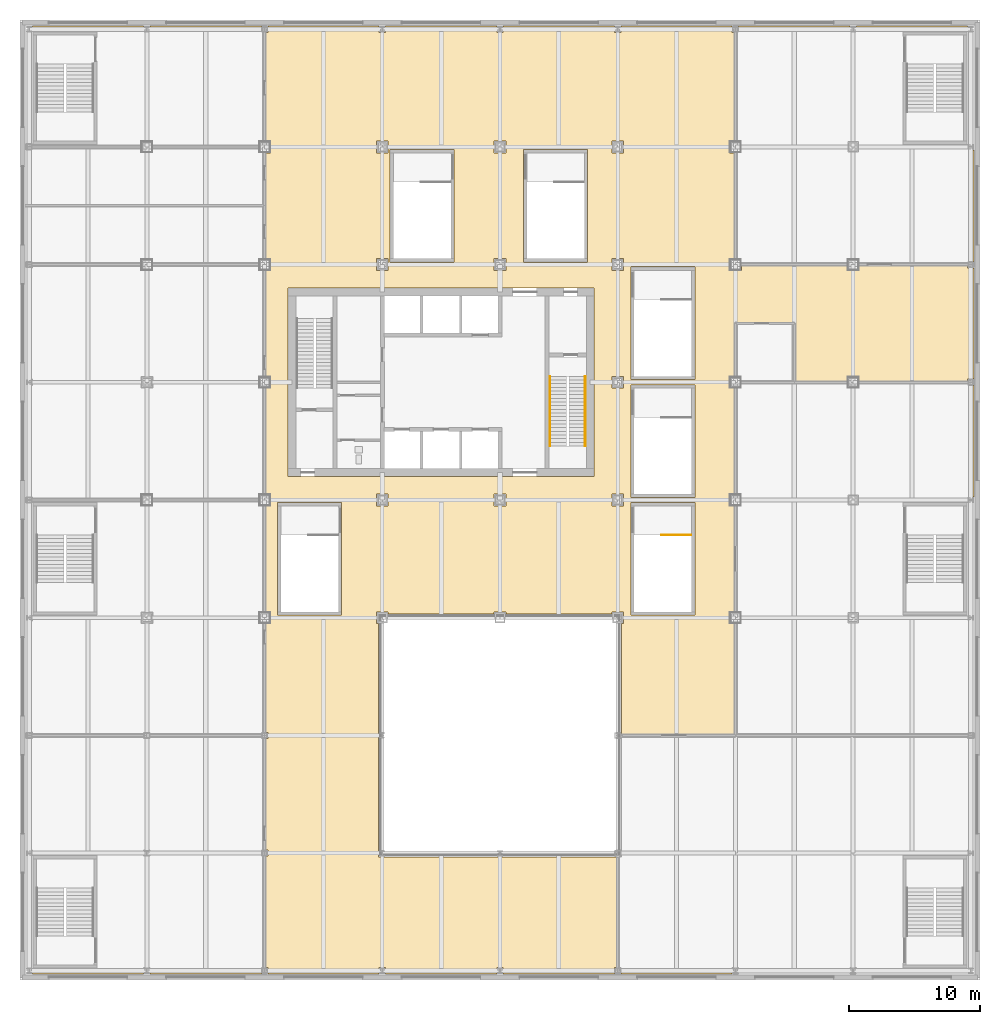
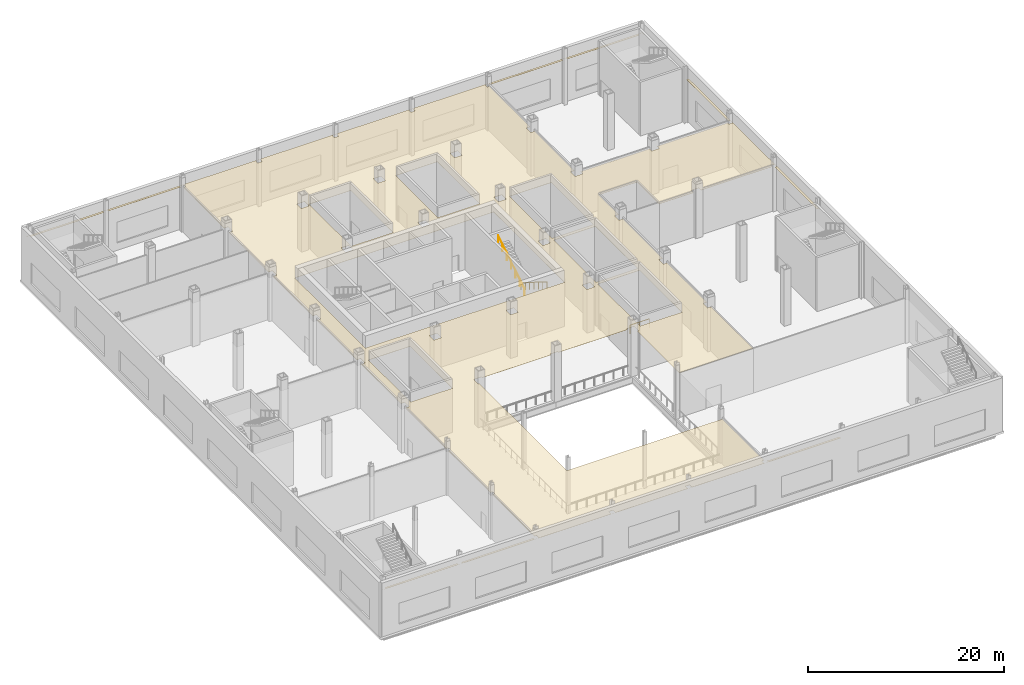
# One storey, part 26 of 32: 3 railings, 1 covering.
"""IFC4 building model written with IfcOpenShell, lengths in metres."""

from ifc_helpers import new_model, si_unit, direction, frame, origin, origin_2d, place, context, subcontext, project, spatial, polyline, circle, outline, extrude, material, layer, layer_set, type_object, element, save


model = new_model("IFC4")

# Units and contexts
model_context = context("Model", 3, precision=1e-05, world=origin(), true_north=direction((0.0, 1.0)))
body_context = subcontext(model_context, "Body", "Model", "MODEL_VIEW")
ifc_project = project(units=[si_unit("LENGTHUNIT", "METRE"), si_unit("AREAUNIT", "SQUARE_METRE"), si_unit("VOLUMEUNIT", "CUBIC_METRE"), si_unit("PLANEANGLEUNIT", "RADIAN"), si_unit("MASSUNIT", "GRAM", prefix="KILO")], contexts=[model_context])

# Site, building, storey
site_placement = place(None, origin())
site = spatial("IfcSite", under=ifc_project, at=site_placement, CompositionType="ELEMENT")
building_placement = place(site_placement, origin())
building = spatial("IfcBuilding", under=site, at=building_placement, Name="Loomwork Tower", CompositionType="ELEMENT")
storey_placement = place(building_placement, frame((0.0, 0.0, 16.0)))
storey = spatial("IfcBuildingStorey", under=building, at=storey_placement, Name="L03", CompositionType="ELEMENT", Elevation=16.0)

# Railings
ifc_material_1 = material(Name="Stainless steel and laminated glass guard", Category="steel")
railing_type_1 = type_object("IfcRailingType", Name="Guard 1100", PredefinedType="GUARDRAIL", material=ifc_material_1)
railing_1_placement = place(storey_placement, frame((39.35009765625, 6.320068359375, 0.0)))
element("IfcRailing", 1, at=railing_1_placement, inside=storey, type_object=railing_type_1, Name="Stair PS7 top landing guard", PredefinedType="GUARDRAIL", context=body_context, shape_type="SweptSolid", body=[
    extrude(circle(Radius=0.02392578125, at=origin_2d()), frame((0.0, 0.0, 1.076171875), z_axis=(1.0, 0.0, 0.0), x_axis=(0.0, 1.0, 0.0)), (0.0, 0.0, 1.0), 2.25),
    extrude(circle(Radius=0.02099609375, at=origin_2d()), origin(), (0.0, 0.0, 1.0), 1.052001953125),
    extrude(circle(Radius=0.02099609375, at=origin_2d()), frame((1.125, 0.0, 0.0)), (0.0, 0.0, 1.0), 1.052001953125),
    extrude(circle(Radius=0.02099609375, at=origin_2d()), frame((2.25, 0.0, 0.0)), (0.0, 0.0, 1.0), 1.052001953125),
])
ifc_material_2 = material(Name="Stainless steel handrail", Category="steel")
railing_type_2 = type_object("IfcRailingType", Name="Handrail 900", PredefinedType="HANDRAIL", material=ifc_material_2)
railing_2_placement = place(storey_placement, frame((33.514892578125, 18.449951171875, 0.175048828125)))
element("IfcRailing", 2, at=railing_2_placement, inside=storey, type_object=railing_type_2, Name="Stair B handrail flight 1 L03", PredefinedType="HANDRAIL", context=body_context, shape_type="SweptSolid", body=[
    extrude(circle(Radius=0.02392578125, at=origin_2d()), frame((0.0, 0.0, 0.8759765625), z_axis=(0.0, -0.848004862711, 0.52998844593), x_axis=(1.0, 0.0, 0.0)), (0.0, 0.0, 1.0), 6.273681640625),
    extrude(circle(Radius=0.02099609375, at=origin_2d()), origin(), (0.0, 0.0, 1.0), 0.851806640625),
    extrude(circle(Radius=0.02099609375, at=origin_2d()), frame((0.0, -0.88671875, 0.55419921875)), (0.0, 0.0, 1.0), 0.851806640625),
    extrude(circle(Radius=0.02099609375, at=origin_2d()), frame((0.0, -1.7734375, 1.1083984375)), (0.0, 0.0, 1.0), 0.851806640625),
    extrude(circle(Radius=0.02099609375, at=origin_2d()), frame((0.0, -2.66015625, 1.66259765625)), (0.0, 0.0, 1.0), 0.851806640625),
    extrude(circle(Radius=0.02099609375, at=origin_2d()), frame((0.0, -3.546630859375, 2.216552734375)), (0.0, 0.0, 1.0), 0.851806640625),
    extrude(circle(Radius=0.02099609375, at=origin_2d()), frame((0.0, -4.433349609375, 2.770751953125)), (0.0, 0.0, 1.0), 0.851806640625),
    extrude(circle(Radius=0.02099609375, at=origin_2d()), frame((0.0, -5.320068359375, 3.324951171875)), (0.0, 0.0, 1.0), 0.851806640625),
])
railing_3_placement = place(storey_placement, frame((30.8349609375, 13.1298828125, 3.675048828125)))
element("IfcRailing", 3, at=railing_3_placement, inside=storey, type_object=railing_type_2, Name="Stair B handrail flight 2 L03", PredefinedType="HANDRAIL", context=body_context, shape_type="SweptSolid", body=[
    extrude(circle(Radius=0.02392578125, at=origin_2d()), frame((0.0, 0.0, 0.8759765625), z_axis=(0.0, 0.848004862711, 0.52998844593), x_axis=(-1.0, 0.0, 0.0)), (0.0, 0.0, 1.0), 6.273681640625),
    extrude(circle(Radius=0.02099609375, at=origin_2d()), origin(), (0.0, 0.0, 1.0), 0.851806640625),
    extrude(circle(Radius=0.02099609375, at=origin_2d()), frame((0.0, 0.88671875, 0.55419921875)), (0.0, 0.0, 1.0), 0.851806640625),
    extrude(circle(Radius=0.02099609375, at=origin_2d()), frame((0.0, 1.7734375, 1.1083984375)), (0.0, 0.0, 1.0), 0.851806640625),
    extrude(circle(Radius=0.02099609375, at=origin_2d()), frame((0.0, 2.66015625, 1.66259765625)), (0.0, 0.0, 1.0), 0.851806640625),
    extrude(circle(Radius=0.02099609375, at=origin_2d()), frame((0.0, 3.546630859375, 2.216552734375)), (0.0, 0.0, 1.0), 0.851806640625),
    extrude(circle(Radius=0.02099609375, at=origin_2d()), frame((0.0, 4.433349609375, 2.770751953125)), (0.0, 0.0, 1.0), 0.851806640625),
    extrude(circle(Radius=0.02099609375, at=origin_2d()), frame((0.0, 5.320068359375, 3.324951171875)), (0.0, 0.0, 1.0), 0.851806640625),
])

# Covering
ifc_material_3 = material(Name="Mineral fibre acoustic tile on suspension grid")
ifc_layer = layer(ifc_material_3, 0.02490234375)
ifc_layer_set = layer_set([ifc_layer], Name="Suspended acoustic ceiling")
covering_type = type_object("IfcCoveringType", Name="Suspended acoustic ceiling", PredefinedType="CEILING", material=ifc_layer_set)
covering_placement = place(storey_placement, frame((0.0, 0.0, 5.47509765625)))
element("IfcCovering", 4, at=covering_placement, inside=storey, type_object=covering_type, Name="Ceiling Ballroom pre-function foyer L03", PredefinedType="CEILING", context=body_context, shape_type="SweptSolid", body=[
    extrude(outline(polyline([(-9.25, -27.25), (-9.25, -26.800048828125), (-9.246826171875, -26.800048828125), (-9.246826171875, -27.238037109375), (-8.753173828125, -27.238037109375), (-8.753173828125, -27.0), (-0.246826171875, -27.0), (-0.246826171875, -27.238037109375), (0.246826171875, -27.238037109375), (0.246826171875, -27.0), (8.753173828125, -27.0), (8.753173828125, -27.238037109375), (9.246826171875, -27.238037109375), (9.246826171875, -26.761962890625), (9.0, -26.761962890625), (9.0, -18.238037109375), (9.246826171875, -18.238037109375), (9.246826171875, -17.761962890625), (9.0, -17.761962890625), (9.0, -9.238037109375), (9.246826171875, -9.238037109375), (9.246826171875, -8.761962890625), (9.0, -8.761962890625), (9.0, -0.449951171875), (9.449951171875, -0.449951171875), (9.449951171875, 0.449951171875), (9.0, 0.449951171875), (9.0, 8.550048828125), (9.449951171875, 8.550048828125), (9.449951171875, 9.449951171875), (9.0, 9.449951171875), (9.0, 17.550048828125), (9.449951171875, 17.550048828125), (9.449951171875, 18.449951171875), (9.0, 18.449951171875), (9.0, 26.550048828125), (9.449951171875, 26.550048828125), (9.449951171875, 27.449951171875), (9.0, 27.449951171875), (9.0, 31.5), (9.0, 35.550048828125), (9.449951171875, 35.550048828125), (9.449951171875, 36.449951171875), (9.0, 36.449951171875), (9.0, 44.761962890625), (9.246826171875, 44.761962890625), (9.246826171875, 45.238037109375), (8.753173828125, 45.238037109375), (8.753173828125, 45.0), (0.246826171875, 45.0), (0.246826171875, 45.238037109375), (-0.246826171875, 45.238037109375), (-0.246826171875, 45.0), (-8.753173828125, 45.0), (-8.753173828125, 45.238037109375), (-9.246826171875, 45.238037109375), (-9.246826171875, 44.800048828125), (-9.25, 44.800048828125), (-9.25, 45.25), (63.25, 45.25), (63.25, 44.800048828125), (63.246826171875, 44.800048828125), (63.246826171875, 45.238037109375), (62.753173828125, 45.238037109375), (62.753173828125, 45.0), (54.246826171875, 45.0), (54.246826171875, 45.238037109375), (53.753173828125, 45.238037109375), (53.753173828125, 45.0), (45.246826171875, 45.0), (45.246826171875, 45.238037109375), (44.753173828125, 45.238037109375), (44.753173828125, 44.761962890625), (45.0, 44.761962890625), (45.0, 36.449951171875), (44.550048828125, 36.449951171875), (44.550048828125, 35.550048828125), (45.0, 35.550048828125), (45.0, 27.449951171875), (44.550048828125, 27.449951171875), (44.550048828125, 26.550048828125), (45.449951171875, 26.550048828125), (45.449951171875, 27.0), (53.550048828125, 27.0), (53.550048828125, 26.550048828125), (54.449951171875, 26.550048828125), (54.449951171875, 27.0), (62.761962890625, 27.0), (62.761962890625, 26.753173828125), (63.238037109375, 26.753173828125), (63.238037109375, 27.246826171875), (63.0, 27.246826171875), (63.0, 35.753173828125), (63.238037109375, 35.753173828125), (63.238037109375, 36.199951171875), (63.25, 36.199951171875), (63.25, 8.800048828125), (63.238037109375, 8.800048828125), (63.238037109375, 9.246826171875), (63.0, 9.246826171875), (63.0, 17.753173828125), (63.238037109375, 17.753173828125), (63.238037109375, 18.246826171875), (62.761962890625, 18.246826171875), (62.761962890625, 18.0), (54.449951171875, 18.0), (54.449951171875, 18.449951171875), (53.550048828125, 18.449951171875), (53.550048828125, 18.0), (49.5, 18.0), (49.5, 22.5), (45.0, 22.5), (45.0, 18.449951171875), (44.550048828125, 18.449951171875), (44.550048828125, 17.550048828125), (45.0, 17.550048828125), (45.0, 9.449951171875), (44.550048828125, 9.449951171875), (44.550048828125, 8.550048828125), (45.0, 8.550048828125), (45.0, 0.449951171875), (44.550048828125, 0.449951171875), (44.550048828125, -0.449951171875), (45.0, -0.449951171875), (45.0, -9.0), (36.300048828125, -9.0), (36.300048828125, -0.449951171875), (36.449951171875, -0.449951171875), (36.449951171875, 0.449951171875), (35.550048828125, 0.449951171875), (35.550048828125, 0.300048828125), (27.449951171875, 0.300048828125), (27.449951171875, 0.449951171875), (26.550048828125, 0.449951171875), (26.550048828125, 0.300048828125), (18.449951171875, 0.300048828125), (18.449951171875, 0.449951171875), (17.550048828125, 0.449951171875), (17.550048828125, -0.449951171875), (17.699951171875, -0.449951171875), (17.699951171875, -18.300048828125), (36.0, -18.300048828125), (36.0, -26.761962890625), (35.753173828125, -26.761962890625), (35.753173828125, -27.238037109375), (36.246826171875, -27.238037109375), (36.246826171875, -27.0), (44.74560546875, -27.0), (44.74560546875, -27.25), (-9.25, -27.25)]), holes=[polyline([(41.89990234375, 26.800048828125), (37.0, 26.800048828125), (37.0, 18.199951171875), (41.89990234375, 18.199951171875), (41.89990234375, 26.800048828125)]), polyline([(37.0, 17.800048828125), (37.0, 9.199951171875), (41.89990234375, 9.199951171875), (41.89990234375, 17.800048828125), (37.0, 17.800048828125)]), polyline([(37.0, 8.800048828125), (37.0, 0.199951171875), (41.89990234375, 0.199951171875), (41.89990234375, 8.800048828125), (37.0, 8.800048828125)]), polyline([(35.550048828125, 36.449951171875), (35.550048828125, 35.550048828125), (36.449951171875, 35.550048828125), (36.449951171875, 36.449951171875), (35.550048828125, 36.449951171875)]), polyline([(35.550048828125, 26.550048828125), (36.449951171875, 26.550048828125), (36.449951171875, 27.449951171875), (35.550048828125, 27.449951171875), (35.550048828125, 26.550048828125)]), polyline([(35.550048828125, 17.550048828125), (36.449951171875, 17.550048828125), (36.449951171875, 18.449951171875), (35.550048828125, 18.449951171875), (35.550048828125, 17.550048828125)]), polyline([(35.550048828125, 8.550048828125), (36.449951171875, 8.550048828125), (36.449951171875, 9.449951171875), (35.550048828125, 9.449951171875), (35.550048828125, 8.550048828125)]), polyline([(35.753173828125, 45.238037109375), (35.753173828125, 44.761962890625), (36.246826171875, 44.761962890625), (36.246826171875, 45.238037109375), (35.753173828125, 45.238037109375)]), polyline([(10.800048828125, 25.199951171875), (10.800048828125, 10.800048828125), (34.199951171875, 10.800048828125), (34.199951171875, 25.199951171875), (10.800048828125, 25.199951171875)]), polyline([(28.800048828125, 35.800048828125), (28.800048828125, 27.199951171875), (33.699951171875, 27.199951171875), (33.699951171875, 35.800048828125), (28.800048828125, 35.800048828125)]), polyline([(26.550048828125, 35.550048828125), (27.449951171875, 35.550048828125), (27.449951171875, 36.449951171875), (26.550048828125, 36.449951171875), (26.550048828125, 35.550048828125)]), polyline([(26.550048828125, 26.550048828125), (27.449951171875, 26.550048828125), (27.449951171875, 27.449951171875), (26.550048828125, 27.449951171875), (26.550048828125, 26.550048828125)]), polyline([(26.550048828125, 8.550048828125), (27.449951171875, 8.550048828125), (27.449951171875, 9.449951171875), (26.550048828125, 9.449951171875), (26.550048828125, 8.550048828125)]), polyline([(26.753173828125, -27.238037109375), (27.246826171875, -27.238037109375), (27.246826171875, -26.761962890625), (26.753173828125, -26.761962890625), (26.753173828125, -27.238037109375)]), polyline([(26.753173828125, 44.761962890625), (27.246826171875, 44.761962890625), (27.246826171875, 45.238037109375), (26.753173828125, 45.238037109375), (26.753173828125, 44.761962890625)]), polyline([(23.5, 35.800048828125), (18.60009765625, 35.800048828125), (18.60009765625, 27.199951171875), (23.5, 27.199951171875), (23.5, 35.800048828125)]), polyline([(17.550048828125, 35.550048828125), (18.449951171875, 35.550048828125), (18.449951171875, 36.449951171875), (17.550048828125, 36.449951171875), (17.550048828125, 35.550048828125)]), polyline([(17.550048828125, 27.449951171875), (17.550048828125, 26.550048828125), (18.449951171875, 26.550048828125), (18.449951171875, 27.449951171875), (17.550048828125, 27.449951171875)]), polyline([(17.550048828125, 8.550048828125), (18.449951171875, 8.550048828125), (18.449951171875, 9.449951171875), (17.550048828125, 9.449951171875), (17.550048828125, 8.550048828125)]), polyline([(17.753173828125, 44.761962890625), (18.246826171875, 44.761962890625), (18.246826171875, 45.238037109375), (17.753173828125, 45.238037109375), (17.753173828125, 44.761962890625)]), polyline([(17.753173828125, -26.761962890625), (17.753173828125, -27.238037109375), (18.246826171875, -27.238037109375), (18.246826171875, -26.761962890625), (17.753173828125, -26.761962890625)]), polyline([(14.89990234375, 8.800048828125), (10.0, 8.800048828125), (10.0, 0.199951171875), (14.89990234375, 0.199951171875), (14.89990234375, 8.800048828125)])]), origin(), (0.0, 0.0, 1.0), 0.02490234375),
])

save(model, "model.ifc")
